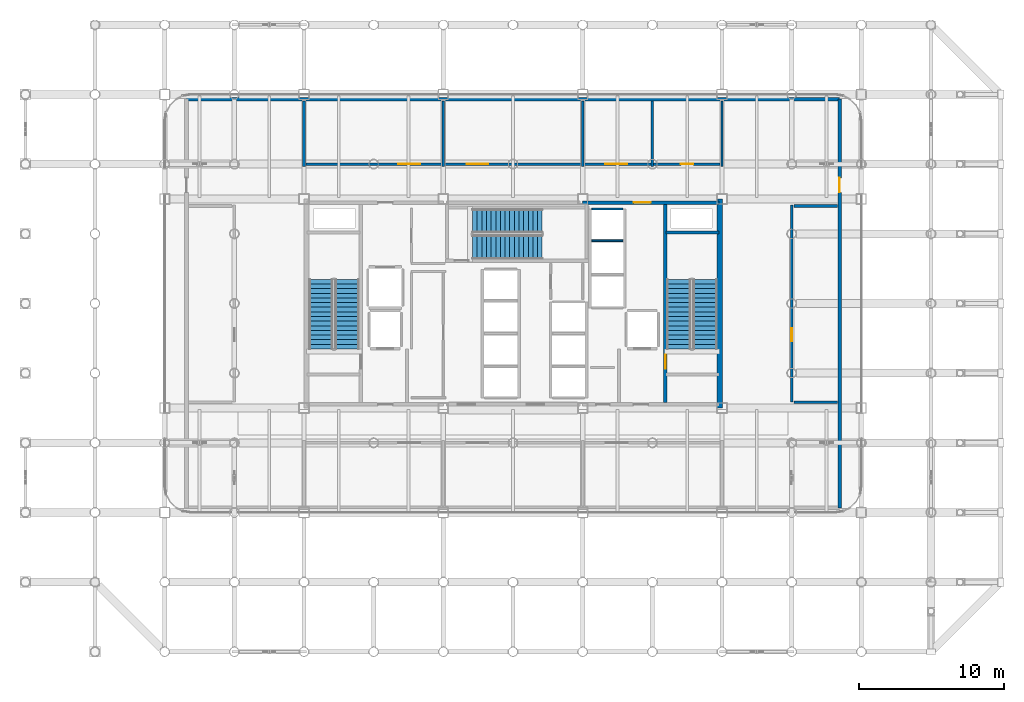
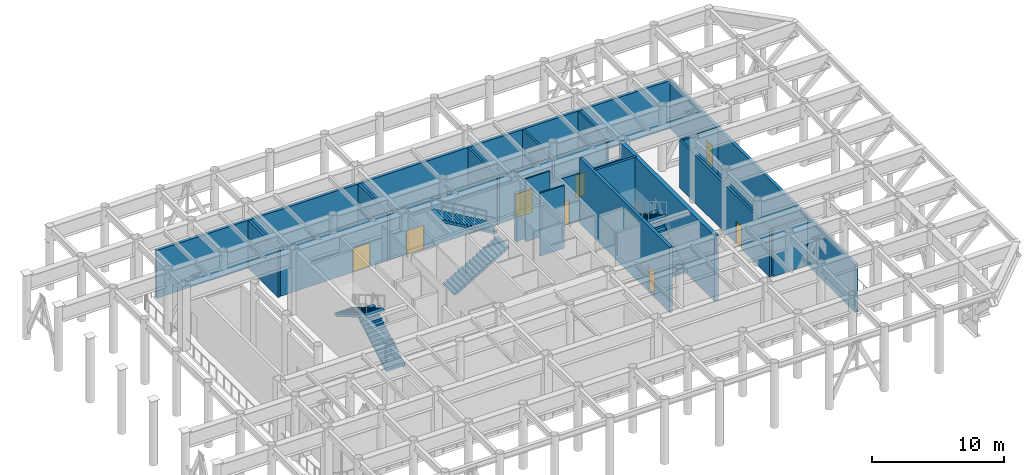
# One storey, part 16 of 20: 17 walls, 8 doors, 6 stair flights, 8 openings, 3 elements without a shape of their own.
"""IFC4 building model written with IfcOpenShell, lengths in metres."""

from ifc_helpers import new_model, si_unit, direction, frame, frame_2d, origin, place, context, subcontext, project, spatial, polyline, rectangle, outline, extrude, material, layer, layer_set, type_object, element, fill, aggregate, save


model = new_model("IFC4")

# Units and contexts
model_context = context("Model", 3, precision=1e-05, world=origin(), true_north=direction((0.0, 1.0)))
body_context = subcontext(model_context, "Body", "Model", "MODEL_VIEW")
ifc_project = project(units=[si_unit("LENGTHUNIT", "METRE"), si_unit("AREAUNIT", "SQUARE_METRE"), si_unit("VOLUMEUNIT", "CUBIC_METRE"), si_unit("PLANEANGLEUNIT", "RADIAN"), si_unit("MASSUNIT", "GRAM", prefix="KILO")], contexts=[model_context])

# Site, building, storey
site_placement = place(None, origin())
site = spatial("IfcSite", under=ifc_project, at=site_placement, CompositionType="ELEMENT")
building_placement = place(site_placement, origin())
building = spatial("IfcBuilding", under=site, at=building_placement, Name="Kallvorn Hotel Tower", CompositionType="ELEMENT")
storey_placement = place(building_placement, frame((0.0, 0.0, 185.5)))
storey = spatial("IfcBuildingStorey", under=building, at=storey_placement, Name="L46", CompositionType="ELEMENT", Elevation=185.5)

# Walls
ifc_material_1 = material(Name="Concrete C50/60", Category="concrete")
ifc_layer_1 = layer(ifc_material_1, 0.35009765625)
ifc_layer_set_1 = layer_set([ifc_layer_1], Name="WL_CORE_350")
wall_type_1 = type_object("IfcWallType", Name="WL_CORE_350", PredefinedType="SHEAR", material=ifc_layer_set_1)
wall_1_placement = place(storey_placement, frame((14.239990234375, -7.199951171875, -0.25), z_axis=(0.0, 0.0, 1.0), x_axis=(0.0, 1.0, 0.0)))
element("IfcWall", 1, at=wall_1_placement, inside=storey, type_object=wall_type_1, Name="L46 Core East Shear Wall", PredefinedType="SHEAR", context=body_context, shape_type="SweptSolid", body=[
    extrude(rectangle(XDim=14.39990234375, YDim=0.35009765625, at=frame_2d((7.199951171875, 0.0))), origin(), (0.0, 0.0, 1.0), 6.070068359375),
])
ifc_material_2 = material(Name="Fire-rated double-layer acoustic gypsum drywall EI 60")
ifc_layer_2 = layer(ifc_material_2, 0.179931640625)
ifc_layer_set_2 = layer_set([ifc_layer_2], Name="WL_CORR_180")
wall_type_2 = type_object("IfcWallType", Name="WL_CORR_180", PredefinedType="PARTITIONING", material=ifc_layer_set_2)
for number, where, z_axis, x_axis, name in (
    (2, (19.35009765625, -6.800048828125, 0.0), (0.0, 0.0, 1.0), (1.0, 0.0, 0.0), "L46 L46 Pressurised Fire Refuge Area East Partition"),
    (3, (19.35009765625, 6.716796875, 0.0), (0.0, 0.0, 1.0), (1.0, 0.0, 0.0), "L46 L46 Pressurised Fire Refuge Area East Partition"),
):
    element("IfcWall", number, at=place(storey_placement, frame(where, z_axis=z_axis, x_axis=x_axis)), inside=storey, type_object=wall_type_2, Name=name, PredefinedType="PARTITIONING", context=body_context, shape_type="SweptSolid", body=[
        extrude(rectangle(XDim=3.014892578125, YDim=0.179931640625, at=frame_2d((1.50732421875, 0.0))), origin(), (0.0, 0.0, 1.0), 4.419921875),
    ])

# Wall, openings, doors
wall_2_placement = place(storey_placement, frame((-14.25, 9.60009765625, 0.0), z_axis=(0.0, 0.0, 1.0), x_axis=(1.0, 0.0, 0.0)))
wall_2 = element("IfcWall", 4, at=wall_2_placement, inside=storey, type_object=wall_type_2, Name="L46 L46 Domestic and Fire Break-Tank Pump Room Partition", PredefinedType="PARTITIONING", context=body_context, shape_type="SweptSolid", body=[
    extrude(rectangle(XDim=28.5, YDim=0.179931640625, at=frame_2d((14.25, 0.0))), origin(), (0.0, 0.0, 1.0), 4.419921875),
])
opening_1_placement = place(wall_2_placement, frame((6.35400390625, 0.0, 0.0)))
opening_1 = element("IfcOpeningElement", 5, at=opening_1_placement, cuts=wall_2, Name="Opening PD1", PredefinedType="OPENING", context=body_context, shape_type="SweptSolid", body=[
    extrude(rectangle(XDim=1.5, YDim=2.199951171875, at=frame_2d((0.75, 1.10009765625))), frame((0.0, 0.104736328125, 0.0), z_axis=(0.0, -1.0, 0.0), x_axis=(1.0, 0.0, 0.0)), (0.0, 0.0, 1.0), 0.2099609375),
])
opening_2_placement = place(wall_2_placement, frame((11.056396484375, 0.0, 0.0)))
opening_2 = element("IfcOpeningElement", 6, at=opening_2_placement, cuts=wall_2, Name="Opening PD1", PredefinedType="OPENING", context=body_context, shape_type="SweptSolid", body=[
    extrude(rectangle(XDim=1.5, YDim=2.199951171875, at=frame_2d((0.75, 1.10009765625))), frame((0.0, 0.104736328125, 0.0), z_axis=(0.0, -1.0, 0.0), x_axis=(1.0, 0.0, 0.0)), (0.0, 0.0, 1.0), 0.2099609375),
])
opening_3_placement = place(wall_2_placement, frame((20.6181640625, 0.0, 0.0)))
opening_3 = element("IfcOpeningElement", 7, at=opening_3_placement, cuts=wall_2, Name="Opening PD1", PredefinedType="OPENING", context=body_context, shape_type="SweptSolid", body=[
    extrude(rectangle(XDim=1.5, YDim=2.199951171875, at=frame_2d((0.75, 1.10009765625))), frame((0.0, 0.104736328125, 0.0), z_axis=(0.0, -1.0, 0.0), x_axis=(1.0, 0.0, 0.0)), (0.0, 0.0, 1.0), 0.2099609375),
])
opening_4_placement = place(wall_2_placement, frame((25.820068359375, 0.0, 0.0)))
opening_4 = element("IfcOpeningElement", 8, at=opening_4_placement, cuts=wall_2, Name="Opening BD-I", PredefinedType="OPENING", context=body_context, shape_type="SweptSolid", body=[
    extrude(rectangle(XDim=0.860107421875, YDim=2.10009765625, at=frame_2d((0.43017578125, 1.050048828125))), frame((0.0, 0.104736328125, 0.0), z_axis=(0.0, -1.0, 0.0), x_axis=(1.0, 0.0, 0.0)), (0.0, 0.0, 1.0), 0.2099609375),
])
ifc_material_3 = material(Name="Solid-core walnut veneer fire-rated timber door leaf", Category="wood")
door_type_1 = type_object("IfcDoorType", Name="DR_BATH_860x2100", OperationType="NOTDEFINED", PredefinedType="DOOR", material=ifc_material_3)
door_1_placement = place(opening_4_placement, origin())
door_1 = element("IfcDoor", 9, at=door_1_placement, inside=storey, type_object=door_type_1, Name="L46 L46 Refuge Accessible WC Door", OperationType="SINGLE_SWING_LEFT", OverallHeight=2.10009765625, OverallWidth=0.860107421875, PredefinedType="DOOR", context=body_context, shape_type="SweptSolid", body=[
    extrude(rectangle(XDim=0.860107421875, YDim=2.10009765625, at=frame_2d((0.43017578125, 1.050048828125))), frame((0.0, 0.02490234375, 0.0), z_axis=(0.0, -1.0, 0.0), x_axis=(1.0, 0.0, 0.0)), (0.0, 0.0, 1.0), 0.050048828125),
])
fill(opening_4, door_1)
ifc_material_4 = material(Name="Galvanised painted steel fire-rated door assembly", Category="steel")
door_type_2 = type_object("IfcDoorType", Name="DR_PLANT_1500x2200", OperationType="DOUBLE_DOOR_SINGLE_SWING", PredefinedType="DOOR", material=ifc_material_4)
door_2_placement = place(opening_1_placement, origin())
door_2 = element("IfcDoor", 10, at=door_2_placement, inside=storey, type_object=door_type_2, Name="L46 L46 Domestic and Fire Break-Tank Pump Room Door", OperationType="DOUBLE_DOOR_SINGLE_SWING", OverallHeight=2.199951171875, OverallWidth=1.5, PredefinedType="DOOR", context=body_context, shape_type="SweptSolid", body=[
    extrude(rectangle(XDim=1.5, YDim=2.199951171875, at=frame_2d((0.75, 1.10009765625))), frame((0.0, 0.02490234375, 0.0), z_axis=(0.0, -1.0, 0.0), x_axis=(1.0, 0.0, 0.0)), (0.0, 0.0, 1.0), 0.050048828125),
])
fill(opening_1, door_2)
door_3_placement = place(opening_2_placement, origin())
door_3 = element("IfcDoor", 11, at=door_3_placement, inside=storey, type_object=door_type_2, Name="L46 L46 Venturi Turbine Inverter and Switchgear Room Door", OperationType="DOUBLE_DOOR_SINGLE_SWING", OverallHeight=2.199951171875, OverallWidth=1.5, PredefinedType="DOOR", context=body_context, shape_type="SweptSolid", body=[
    extrude(rectangle(XDim=1.5, YDim=2.199951171875, at=frame_2d((0.75, 1.10009765625))), frame((0.0, 0.02490234375, 0.0), z_axis=(0.0, -1.0, 0.0), x_axis=(1.0, 0.0, 0.0)), (0.0, 0.0, 1.0), 0.050048828125),
])
fill(opening_2, door_3)
door_4_placement = place(opening_3_placement, origin())
door_4 = element("IfcDoor", 12, at=door_4_placement, inside=storey, type_object=door_type_2, Name="L46 L46 Smoke Control and BMS Plant Room Door", OperationType="DOUBLE_DOOR_SINGLE_SWING", OverallHeight=2.199951171875, OverallWidth=1.5, PredefinedType="DOOR", context=body_context, shape_type="SweptSolid", body=[
    extrude(rectangle(XDim=1.5, YDim=2.199951171875, at=frame_2d((0.75, 1.10009765625))), frame((0.0, 0.02490234375, 0.0), z_axis=(0.0, -1.0, 0.0), x_axis=(1.0, 0.0, 0.0)), (0.0, 0.0, 1.0), 0.050048828125),
])
fill(opening_3, door_4)

# Walls
for number, where, z_axis, x_axis, name in (
    (13, (-14.39990234375, 9.449951171875, 0.0), (0.0, 0.0, 1.0), (0.0, 1.0, 0.0), "L46 L46 Domestic and Fire Break-Tank Pump Room Partition"),
    (14, (-4.800048828125, 9.449951171875, 0.0), (0.0, 0.0, 1.0), (0.0, 1.0, 0.0), "L46 L46 Domestic and Fire Break-Tank Pump Room Partition"),
    (15, (4.800048828125, 9.449951171875, 0.0), (0.0, 0.0, 1.0), (0.0, 1.0, 0.0), "L46 L46 Smoke Control and BMS Plant Room Partition"),
    (16, (9.60009765625, 9.449951171875, 0.0), (0.0, 0.0, 1.0), (0.0, 1.0, 0.0), "L46 L46 Smoke Control and BMS Plant Room Partition"),
):
    element("IfcWall", number, at=place(storey_placement, frame(where, z_axis=z_axis, x_axis=x_axis)), inside=storey, type_object=wall_type_2, Name=name, PredefinedType="PARTITIONING", context=body_context, shape_type="SweptSolid", body=[
        extrude(rectangle(XDim=4.4951171875, YDim=0.179931640625, at=frame_2d((2.24755859375, 0.0))), origin(), (0.0, 0.0, 1.0), 4.419921875),
    ])

# Wall, opening, door
wall_3_placement = place(storey_placement, frame((19.199951171875, -6.800048828125, 0.0), z_axis=(0.0, 0.0, 1.0), x_axis=(0.0, 1.0, 0.0)))
wall_3 = element("IfcWall", 17, at=wall_3_placement, inside=storey, type_object=wall_type_2, Name="L46 L46 Pressurised Fire Refuge Area East Partition", PredefinedType="PARTITIONING", context=body_context, shape_type="SweptSolid", body=[
    extrude(rectangle(XDim=13.60009765625, YDim=0.179931640625, at=frame_2d((6.800048828125, 0.0))), origin(), (0.0, 0.0, 1.0), 4.419921875),
])
opening_5_placement = place(wall_3_placement, frame((4.20703125, 0.0, 0.0)))
opening_5 = element("IfcOpeningElement", 18, at=opening_5_placement, cuts=wall_3, Name="Opening SVD1", PredefinedType="OPENING", context=body_context, shape_type="SweptSolid", body=[
    extrude(rectangle(XDim=0.89990234375, YDim=2.10009765625, at=frame_2d((0.449951171875, 1.050048828125))), frame((0.0, 0.104736328125, 0.0), z_axis=(0.0, -1.0, 0.0), x_axis=(1.0, 0.0, 0.0)), (0.0, 0.0, 1.0), 0.2099609375),
])
ifc_material_5 = material(Name="Galvanised painted steel fire-rated door assembly", Category="steel")
door_type_3 = type_object("IfcDoorType", Name="DR_SERV_900x2100", OperationType="NOTDEFINED", PredefinedType="DOOR", material=ifc_material_5)
door_5_placement = place(opening_5_placement, origin())
door_5 = element("IfcDoor", 19, at=door_5_placement, inside=storey, type_object=door_type_3, Name="L46 L46 Pressurised Fire Refuge Area East Door", OperationType="SINGLE_SWING_LEFT", OverallHeight=2.10009765625, OverallWidth=0.89990234375, PredefinedType="DOOR", context=body_context, shape_type="SweptSolid", body=[
    extrude(rectangle(XDim=0.89990234375, YDim=2.10009765625, at=frame_2d((0.449951171875, 1.050048828125))), frame((0.0, 0.02490234375, 0.0), z_axis=(0.0, -1.0, 0.0), x_axis=(1.0, 0.0, 0.0)), (0.0, 0.0, 1.0), 0.050048828125),
])
fill(opening_5, door_5)

# Wall
ifc_material_6 = material(Name="Precast basalt-clad insulated concrete wall C40/50", Category="masonry")
ifc_layer_3 = layer(ifc_material_6, 0.25)
ifc_layer_set_3 = layer_set([ifc_layer_3], Name="WL_EXT_HUB_250")
wall_type_3 = type_object("IfcWallType", Name="WL_EXT_HUB_250", PredefinedType="SOLIDWALL", material=ifc_layer_set_3)
wall_4_placement = place(storey_placement, frame((-22.5, 14.080078125, 0.0), z_axis=(0.0, 0.0, 1.0), x_axis=(1.0, 0.0, 0.0)))
element("IfcWall", 20, at=wall_4_placement, inside=storey, type_object=wall_type_3, Name="L46 Wind-Hub Acoustic Enclosure Wall N", PredefinedType="SOLIDWALL", context=body_context, shape_type="SweptSolid", body=[
    extrude(rectangle(XDim=45.0, YDim=0.25, at=frame_2d((22.5, 0.0))), origin(), (0.0, 0.0, 1.0), 4.419921875),
])

# Wall, opening, door
wall_5_placement = place(storey_placement, frame((22.5, 14.080078125, 0.0), z_axis=(0.0, 0.0, 1.0), x_axis=(0.0, -1.0, 0.0)))
wall_5 = element("IfcWall", 21, at=wall_5_placement, inside=storey, type_object=wall_type_3, Name="L46 Wind-Hub Acoustic Enclosure Wall E", PredefinedType="SOLIDWALL", context=body_context, shape_type="SweptSolid", body=[
    extrude(rectangle(XDim=28.16015625, YDim=0.25, at=frame_2d((14.080078125, 0.0))), origin(), (0.0, 0.0, 1.0), 4.419921875),
])
opening_6_placement = place(wall_5_placement, frame((5.429931640625, 0.0, 0.0)))
opening_6 = element("IfcOpeningElement", 22, at=opening_6_placement, cuts=wall_5, Name="Opening WDX1", PredefinedType="OPENING", context=body_context, shape_type="SweptSolid", body=[
    extrude(rectangle(XDim=1.0, YDim=2.14990234375, at=frame_2d((0.5, 1.074951171875))), frame((0.0, 0.139892578125, 0.0), z_axis=(0.0, -1.0, 0.0), x_axis=(1.0, 0.0, 0.0)), (0.0, 0.0, 1.0), 0.280029296875),
])
ifc_material_7 = material(Name="Galvanised painted steel S275JR balustrade", Category="steel")
door_type_4 = type_object("IfcDoorType", Name="DR_WIND_EXT_1000x2150", OperationType="NOTDEFINED", PredefinedType="DOOR", material=ifc_material_7)
door_6_placement = place(opening_6_placement, origin())
door_6 = element("IfcDoor", 23, at=door_6_placement, inside=storey, type_object=door_type_4, Name="L46 Turbine Deck Maintenance Access Door E", OperationType="SINGLE_SWING_RIGHT", OverallHeight=2.14990234375, OverallWidth=1.0, PredefinedType="DOOR", context=body_context, shape_type="SweptSolid", body=[
    extrude(rectangle(XDim=1.0, YDim=2.14990234375, at=frame_2d((0.5, 1.074951171875))), frame((0.0, 0.02490234375, 0.0), z_axis=(0.0, -1.0, 0.0), x_axis=(1.0, 0.0, 0.0)), (0.0, 0.0, 1.0), 0.050048828125),
])
fill(opening_6, door_6)

# Walls
ifc_material_8 = material(Name="Concrete C40/50", Category="concrete")
ifc_layer_4 = layer(ifc_material_8, 0.199951171875)
ifc_layer_set_4 = layer_set([ifc_layer_4], Name="WL_HOIST_200")
wall_type_4 = type_object("IfcWallType", Name="WL_HOIST_200", PredefinedType="SOLIDWALL", material=ifc_layer_set_4)
wall_6_placement = place(storey_placement, frame((10.550048828125, 4.89990234375, -0.25), z_axis=(0.0, 0.0, 1.0), x_axis=(1.0, 0.0, 0.0)))
element("IfcWall", 24, at=wall_6_placement, inside=storey, type_object=wall_type_4, Name="L46 Stair ST2 North Wall", PredefinedType="SOLIDWALL", context=body_context, shape_type="SweptSolid", body=[
    extrude(rectangle(XDim=3.64990234375, YDim=0.199951171875, at=frame_2d((1.824951171875, 0.0))), origin(), (0.0, 0.0, 1.0), 6.070068359375),
])
ifc_material_9 = material(Name="Fire-rated double-layer acoustic gypsum drywall EI 60")
ifc_layer_5 = layer(ifc_material_9, 0.1201171875)
ifc_layer_set_5 = layer_set([ifc_layer_5], Name="WL_INT_120")
wall_type_5 = type_object("IfcWallType", Name="WL_INT_120", PredefinedType="PARTITIONING", material=ifc_layer_set_5)
for number, where, z_axis, x_axis, name in (
    (25, (5.43994140625, 4.324951171875, 0.0), (0.0, 0.0, 1.0), (1.0, 0.0, 0.0), "L46 OB-02 Hoistway Divider"),
    (26, (5.43994140625, 6.5, 0.0), (0.0, 0.0, 1.0), (1.0, 0.0, 0.0), "L46 OB-03 Hoistway Divider"),
):
    element("IfcWall", number, at=place(storey_placement, frame(where, z_axis=z_axis, x_axis=x_axis)), inside=storey, type_object=wall_type_5, Name=name, PredefinedType="PARTITIONING", context=body_context, shape_type="SweptSolid", body=[
        extrude(rectangle(XDim=2.1201171875, YDim=0.1201171875, at=frame_2d((1.06005859375, 0.0))), origin(), (0.0, 0.0, 1.0), 5.820068359375),
    ])
ifc_material_10 = material(Name="Moisture-resistant acoustic plumbing chase wall EI 60")
ifc_layer_6 = layer(ifc_material_10, 0.139892578125)
ifc_layer_set_6 = layer_set([ifc_layer_6], Name="WL_PLUMB_140")
wall_type_6 = type_object("IfcWallType", Name="WL_PLUMB_140", PredefinedType="PLUMBINGWALL", material=ifc_layer_set_6)
wall_7_placement = place(storey_placement, frame((14.39990234375, 9.449951171875, 0.0), z_axis=(0.0, 0.0, 1.0), x_axis=(0.0, 1.0, 0.0)))
element("IfcWall", 27, at=wall_7_placement, inside=storey, type_object=wall_type_6, Name="L46 L46 Refuge Accessible WC Partition", PredefinedType="PLUMBINGWALL", context=body_context, shape_type="SweptSolid", body=[
    extrude(rectangle(XDim=4.4951171875, YDim=0.139892578125, at=frame_2d((2.24755859375, 0.0))), origin(), (0.0, 0.0, 1.0), 4.419921875),
])

# Wall, opening, door
ifc_material_11 = material(Name="Concrete C40/50", Category="concrete")
ifc_layer_7 = layer(ifc_material_11, 0.25)
ifc_layer_set_7 = layer_set([ifc_layer_7], Name="WL_SHAFT_250")
wall_type_7 = type_object("IfcWallType", Name="WL_SHAFT_250", PredefinedType="SOLIDWALL", material=ifc_layer_set_7)
wall_8_placement = place(storey_placement, frame((4.800048828125, 6.949951171875, 0.0), z_axis=(0.0, 0.0, 1.0), x_axis=(1.0, 0.0, 0.0)))
wall_8 = element("IfcWall", 28, at=wall_8_placement, inside=storey, type_object=wall_type_7, Name="L46 Core North-East Wall", PredefinedType="SOLIDWALL", context=body_context, shape_type="SweptSolid", body=[
    extrude(rectangle(XDim=9.39990234375, YDim=0.25, at=frame_2d((4.699951171875, 0.0))), origin(), (0.0, 0.0, 1.0), 4.419921875),
])
opening_7_placement = place(wall_8_placement, frame((3.5, 0.0, 0.0)))
opening_7 = element("IfcOpeningElement", 29, at=opening_7_placement, cuts=wall_8, Name="Opening FD2", PredefinedType="OPENING", context=body_context, shape_type="SweptSolid", body=[
    extrude(rectangle(XDim=1.199951171875, YDim=2.199951171875, at=frame_2d((0.60009765625, 1.10009765625))), frame((0.0, 0.139892578125, 0.0), z_axis=(0.0, -1.0, 0.0), x_axis=(1.0, 0.0, 0.0)), (0.0, 0.0, 1.0), 0.280029296875),
])
ifc_material_12 = material(Name="Galvanised painted steel fire-rated door assembly", Category="steel")
door_type_5 = type_object("IfcDoorType", Name="DR_LOBBY_1200x2200", OperationType="DOUBLE_DOOR_SINGLE_SWING", PredefinedType="DOOR", material=ifc_material_12)
door_7_placement = place(opening_7_placement, origin())
door_7 = element("IfcDoor", 30, at=door_7_placement, inside=storey, type_object=door_type_5, Name="L46 Observatory Shuttle Lobby Door", OperationType="DOUBLE_DOOR_SINGLE_SWING", OverallHeight=2.199951171875, OverallWidth=1.199951171875, PredefinedType="DOOR", context=body_context, shape_type="SweptSolid", body=[
    extrude(rectangle(XDim=1.199951171875, YDim=2.199951171875, at=frame_2d((0.60009765625, 1.10009765625))), frame((0.0, 0.02490234375, 0.0), z_axis=(0.0, -1.0, 0.0), x_axis=(1.0, 0.0, 0.0)), (0.0, 0.0, 1.0), 0.050048828125),
])
fill(opening_7, door_7)

wall_9_placement = place(storey_placement, frame((10.5, -6.820068359375, -0.25), z_axis=(0.0, 0.0, 1.0), x_axis=(0.0, 1.0, 0.0)))
wall_9 = element("IfcWall", 31, at=wall_9_placement, inside=storey, type_object=wall_type_7, Name="L46 Stair ST2 Shaft Wall", PredefinedType="SOLIDWALL", context=body_context, shape_type="SweptSolid", body=[
    extrude(rectangle(XDim=13.64013671875, YDim=0.25, at=frame_2d((6.820068359375, 0.0))), origin(), (0.0, 0.0, 1.0), 6.070068359375),
])
opening_8_placement = place(wall_9_placement, frame((2.320068359375, 0.0, 0.25)))
opening_8 = element("IfcOpeningElement", 32, at=opening_8_placement, cuts=wall_9, Name="Opening SD1", PredefinedType="OPENING", context=body_context, shape_type="SweptSolid", body=[
    extrude(rectangle(XDim=0.949951171875, YDim=2.14990234375, at=frame_2d((0.47509765625, 1.074951171875))), frame((0.0, 0.139892578125, 0.0), z_axis=(0.0, -1.0, 0.0), x_axis=(1.0, 0.0, 0.0)), (0.0, 0.0, 1.0), 0.280029296875),
])
ifc_material_13 = material(Name="Galvanised painted steel fire-rated door assembly", Category="steel")
door_type_6 = type_object("IfcDoorType", Name="DR_STAIR_950x2150", OperationType="NOTDEFINED", PredefinedType="DOOR", material=ifc_material_13)
door_8_placement = place(opening_8_placement, origin())
door_8 = element("IfcDoor", 33, at=door_8_placement, inside=storey, type_object=door_type_6, Name="L46 Exit Stair ST2 Fire Door", OperationType="SINGLE_SWING_LEFT", OverallHeight=2.14990234375, OverallWidth=0.949951171875, PredefinedType="DOOR", context=body_context, shape_type="SweptSolid", body=[
    extrude(rectangle(XDim=0.949951171875, YDim=2.14990234375, at=frame_2d((0.47509765625, 1.074951171875))), frame((0.0, 0.02490234375, 0.0), z_axis=(0.0, -1.0, 0.0), x_axis=(1.0, 0.0, 0.0)), (0.0, 0.0, 1.0), 0.050048828125),
])
fill(opening_8, door_8)

# Stair, stair flights
ifc_material_14 = material(Name="Precast concrete C40/50", Category="concrete")
stair_type = type_object("IfcStairType", Name="STR_CORE_DOGLEG", PredefinedType="HALF_TURN_STAIR", material=ifc_material_14)
stair_1_placement = place(storey_placement, origin())
stair_1 = element("IfcStair", 34, at=stair_1_placement, inside=storey, type_object=stair_type, Name="L46 Exit stair ST1", PredefinedType="HALF_TURN_STAIR")
ifc_material_15 = material(Name="Precast concrete C40/50", Category="concrete")
stair_flight_type = type_object("IfcStairFlightType", Name="FLT_CORE_1660", PredefinedType="STRAIGHT", material=ifc_material_15)
stair_flight_1_placement = place(storey_placement, frame((-11.429931640625, -3.139892578125, 0.0), z_axis=(0.0, 0.0, 1.0), x_axis=(0.0, 1.0, 0.0)))
stair_flight_1 = element("IfcStairFlight", 35, at=stair_flight_1_placement, type_object=stair_flight_type, Name="ST1 flight 1", NumberOfRisers=16, NumberOfTreads=15, PredefinedType="STRAIGHT", RiserHeight=0.1875, TreadLength=0.32, context=body_context, shape_type="SweptSolid", body=[
    extrude(outline(polyline([(0.0, 0.0), (0.0, 0.1875), (0.320068359375, 0.1875), (0.320068359375, 0.375), (0.639892578125, 0.375), (0.639892578125, 0.5625), (0.9599609375, 0.5625), (0.9599609375, 0.75), (1.280029296875, 0.75), (1.280029296875, 0.9375), (1.60009765625, 0.9375), (1.60009765625, 1.125), (1.919921875, 1.125), (1.919921875, 1.3125), (2.239990234375, 1.3125), (2.239990234375, 1.5), (2.56005859375, 1.5), (2.56005859375, 1.6875), (2.8798828125, 1.6875), (2.8798828125, 1.875), (3.199951171875, 1.875), (3.199951171875, 2.0625), (3.52001953125, 2.0625), (3.52001953125, 2.25), (3.840087890625, 2.25), (3.840087890625, 2.4375), (4.159912109375, 2.4375), (4.159912109375, 2.625), (4.47998046875, 2.625), (4.47998046875, 2.8125), (4.800048828125, 2.8125), (4.800048828125, 3.0), (4.800048828125, 2.638671875), (0.296630859375, 0.0), (0.0, 0.0)])), frame((0.0, 0.830078125, 0.0), z_axis=(0.0, -1.0, 0.0), x_axis=(1.0, 0.0, 0.0)), (0.0, 0.0, 1.0), 1.659912109375),
])
stair_flight_2_placement = place(storey_placement, frame((-13.22998046875, 1.659912109375, 3.0), z_axis=(0.0, 0.0, 1.0), x_axis=(0.0, -1.0, 0.0)))
stair_flight_2 = element("IfcStairFlight", 36, at=stair_flight_2_placement, type_object=stair_flight_type, Name="ST1 flight 2", NumberOfRisers=16, NumberOfTreads=15, PredefinedType="STRAIGHT", RiserHeight=0.1875, TreadLength=0.32, context=body_context, shape_type="SweptSolid", body=[
    extrude(outline(polyline([(0.0, 0.0), (0.0, 0.1875), (0.320068359375, 0.1875), (0.320068359375, 0.375), (0.639892578125, 0.375), (0.639892578125, 0.5625), (0.9599609375, 0.5625), (0.9599609375, 0.75), (1.280029296875, 0.75), (1.280029296875, 0.9375), (1.60009765625, 0.9375), (1.60009765625, 1.125), (1.919921875, 1.125), (1.919921875, 1.3125), (2.239990234375, 1.3125), (2.239990234375, 1.5), (2.56005859375, 1.5), (2.56005859375, 1.6875), (2.8798828125, 1.6875), (2.8798828125, 1.875), (3.199951171875, 1.875), (3.199951171875, 2.0625), (3.52001953125, 2.0625), (3.52001953125, 2.25), (3.840087890625, 2.25), (3.840087890625, 2.4375), (4.159912109375, 2.4375), (4.159912109375, 2.625), (4.47998046875, 2.625), (4.47998046875, 2.8125), (4.800048828125, 2.8125), (4.800048828125, 3.0), (4.800048828125, 2.638671875), (0.296630859375, 0.0), (0.0, 0.0)])), frame((0.0, 0.830078125, 0.0), z_axis=(0.0, -1.0, 0.0), x_axis=(1.0, 0.0, 0.0)), (0.0, 0.0, 1.0), 1.659912109375),
])
aggregate(stair_1, [stair_flight_1, stair_flight_2])

stair_2_placement = place(storey_placement, origin())
stair_2 = element("IfcStair", 37, at=stair_2_placement, inside=storey, type_object=stair_type, Name="L46 Exit stair ST2", PredefinedType="HALF_TURN_STAIR")
stair_flight_3_placement = place(storey_placement, frame((13.22998046875, -3.139892578125, 0.0), z_axis=(0.0, 0.0, 1.0), x_axis=(0.0, 1.0, 0.0)))
stair_flight_3 = element("IfcStairFlight", 38, at=stair_flight_3_placement, type_object=stair_flight_type, Name="ST2 flight 1", NumberOfRisers=16, NumberOfTreads=15, PredefinedType="STRAIGHT", RiserHeight=0.1875, TreadLength=0.32, context=body_context, shape_type="SweptSolid", body=[
    extrude(outline(polyline([(0.0, 0.0), (0.0, 0.1875), (0.320068359375, 0.1875), (0.320068359375, 0.375), (0.639892578125, 0.375), (0.639892578125, 0.5625), (0.9599609375, 0.5625), (0.9599609375, 0.75), (1.280029296875, 0.75), (1.280029296875, 0.9375), (1.60009765625, 0.9375), (1.60009765625, 1.125), (1.919921875, 1.125), (1.919921875, 1.3125), (2.239990234375, 1.3125), (2.239990234375, 1.5), (2.56005859375, 1.5), (2.56005859375, 1.6875), (2.8798828125, 1.6875), (2.8798828125, 1.875), (3.199951171875, 1.875), (3.199951171875, 2.0625), (3.52001953125, 2.0625), (3.52001953125, 2.25), (3.840087890625, 2.25), (3.840087890625, 2.4375), (4.159912109375, 2.4375), (4.159912109375, 2.625), (4.47998046875, 2.625), (4.47998046875, 2.8125), (4.800048828125, 2.8125), (4.800048828125, 3.0), (4.800048828125, 2.638671875), (0.296630859375, 0.0), (0.0, 0.0)])), frame((0.0, 0.830078125, 0.0), z_axis=(0.0, -1.0, 0.0), x_axis=(1.0, 0.0, 0.0)), (0.0, 0.0, 1.0), 1.659912109375),
])
stair_flight_4_placement = place(storey_placement, frame((11.429931640625, 1.659912109375, 3.0), z_axis=(0.0, 0.0, 1.0), x_axis=(0.0, -1.0, 0.0)))
stair_flight_4 = element("IfcStairFlight", 39, at=stair_flight_4_placement, type_object=stair_flight_type, Name="ST2 flight 2", NumberOfRisers=16, NumberOfTreads=15, PredefinedType="STRAIGHT", RiserHeight=0.1875, TreadLength=0.32, context=body_context, shape_type="SweptSolid", body=[
    extrude(outline(polyline([(0.0, 0.0), (0.0, 0.1875), (0.320068359375, 0.1875), (0.320068359375, 0.375), (0.639892578125, 0.375), (0.639892578125, 0.5625), (0.9599609375, 0.5625), (0.9599609375, 0.75), (1.280029296875, 0.75), (1.280029296875, 0.9375), (1.60009765625, 0.9375), (1.60009765625, 1.125), (1.919921875, 1.125), (1.919921875, 1.3125), (2.239990234375, 1.3125), (2.239990234375, 1.5), (2.56005859375, 1.5), (2.56005859375, 1.6875), (2.8798828125, 1.6875), (2.8798828125, 1.875), (3.199951171875, 1.875), (3.199951171875, 2.0625), (3.52001953125, 2.0625), (3.52001953125, 2.25), (3.840087890625, 2.25), (3.840087890625, 2.4375), (4.159912109375, 2.4375), (4.159912109375, 2.625), (4.47998046875, 2.625), (4.47998046875, 2.8125), (4.800048828125, 2.8125), (4.800048828125, 3.0), (4.800048828125, 2.638671875), (0.296630859375, 0.0), (0.0, 0.0)])), frame((0.0, 0.830078125, 0.0), z_axis=(0.0, -1.0, 0.0), x_axis=(1.0, 0.0, 0.0)), (0.0, 0.0, 1.0), 1.659912109375),
])
aggregate(stair_2, [stair_flight_3, stair_flight_4])

stair_3_placement = place(storey_placement, origin())
stair_3 = element("IfcStair", 40, at=stair_3_placement, inside=storey, type_object=stair_type, Name="L46 Exit stair ST3", PredefinedType="HALF_TURN_STAIR")
stair_flight_5_placement = place(storey_placement, frame((-2.7900390625, 3.8798828125, 0.0), z_axis=(0.0, 0.0, 1.0), x_axis=(1.0, 0.0, 0.0)))
stair_flight_5 = element("IfcStairFlight", 41, at=stair_flight_5_placement, type_object=stair_flight_type, Name="ST3 flight 1", NumberOfRisers=16, NumberOfTreads=15, PredefinedType="STRAIGHT", RiserHeight=0.1875, TreadLength=0.32, context=body_context, shape_type="SweptSolid", body=[
    extrude(outline(polyline([(0.0, 0.0), (0.0, 0.1875), (0.320068359375, 0.1875), (0.320068359375, 0.375), (0.639892578125, 0.375), (0.639892578125, 0.5625), (0.9599609375, 0.5625), (0.9599609375, 0.75), (1.280029296875, 0.75), (1.280029296875, 0.9375), (1.60009765625, 0.9375), (1.60009765625, 1.125), (1.919921875, 1.125), (1.919921875, 1.3125), (2.239990234375, 1.3125), (2.239990234375, 1.5), (2.56005859375, 1.5), (2.56005859375, 1.6875), (2.8798828125, 1.6875), (2.8798828125, 1.875), (3.199951171875, 1.875), (3.199951171875, 2.0625), (3.52001953125, 2.0625), (3.52001953125, 2.25), (3.840087890625, 2.25), (3.840087890625, 2.4375), (4.159912109375, 2.4375), (4.159912109375, 2.625), (4.47998046875, 2.625), (4.47998046875, 2.8125), (4.800048828125, 2.8125), (4.800048828125, 3.0), (4.800048828125, 2.638671875), (0.296630859375, 0.0), (0.0, 0.0)])), frame((0.0, 0.830078125, 0.0), z_axis=(0.0, -1.0, 0.0), x_axis=(1.0, 0.0, 0.0)), (0.0, 0.0, 1.0), 1.659912109375),
])
stair_flight_6_placement = place(storey_placement, frame((2.010009765625, 5.679931640625, 3.0), z_axis=(0.0, 0.0, 1.0), x_axis=(-1.0, 0.0, 0.0)))
stair_flight_6 = element("IfcStairFlight", 42, at=stair_flight_6_placement, type_object=stair_flight_type, Name="ST3 flight 2", NumberOfRisers=16, NumberOfTreads=15, PredefinedType="STRAIGHT", RiserHeight=0.1875, TreadLength=0.32, context=body_context, shape_type="SweptSolid", body=[
    extrude(outline(polyline([(0.0, 0.0), (0.0, 0.1875), (0.320068359375, 0.1875), (0.320068359375, 0.375), (0.639892578125, 0.375), (0.639892578125, 0.5625), (0.9599609375, 0.5625), (0.9599609375, 0.75), (1.280029296875, 0.75), (1.280029296875, 0.9375), (1.60009765625, 0.9375), (1.60009765625, 1.125), (1.919921875, 1.125), (1.919921875, 1.3125), (2.239990234375, 1.3125), (2.239990234375, 1.5), (2.56005859375, 1.5), (2.56005859375, 1.6875), (2.8798828125, 1.6875), (2.8798828125, 1.875), (3.199951171875, 1.875), (3.199951171875, 2.0625), (3.52001953125, 2.0625), (3.52001953125, 2.25), (3.840087890625, 2.25), (3.840087890625, 2.4375), (4.159912109375, 2.4375), (4.159912109375, 2.625), (4.47998046875, 2.625), (4.47998046875, 2.8125), (4.800048828125, 2.8125), (4.800048828125, 3.0), (4.800048828125, 2.638671875), (0.296630859375, 0.0), (0.0, 0.0)])), frame((0.0, 0.830078125, 0.0), z_axis=(0.0, -1.0, 0.0), x_axis=(1.0, 0.0, 0.0)), (0.0, 0.0, 1.0), 1.659912109375),
])
aggregate(stair_3, [stair_flight_5, stair_flight_6])

save(model, "model.ifc")
